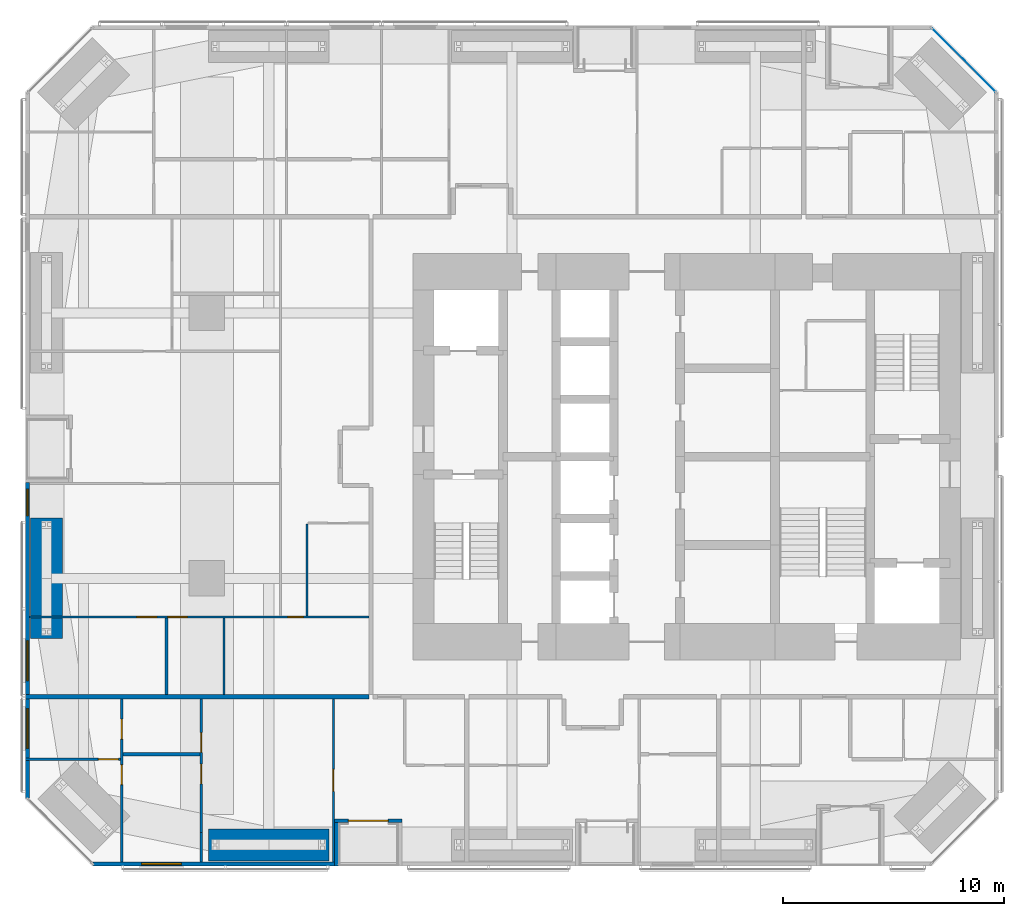
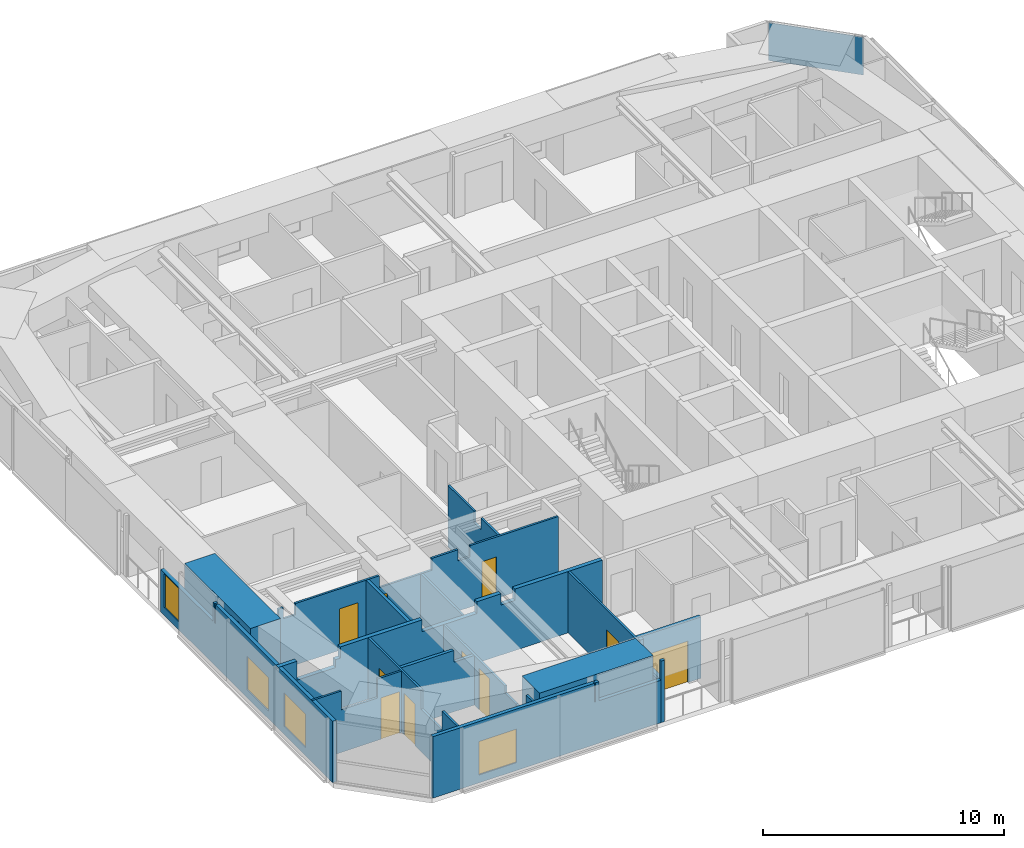
# One storey, part 16 of 23: 17 walls, 10 doors, 4 windows, 1 plate, 14 openings, 1 element without a shape of its own.
"""IFC4 building model written with IfcOpenShell, lengths in metres."""

import ifcopenshell
import ifcopenshell.guid

model = None  # the IFC model being written
_history = None  # IfcOwnerHistory: only IFC2X3 demands one
_inside = {}  # id of a spatial element -> (the spatial element, [elements in it])
_under = {}  # id of a project, library or spatial element -> (it, [spatial elements below it])
_declared = {}  # id of a project -> (the project, [libraries it declares])
_typed = {}  # id of a type object -> (the type object, [elements of that type])
_made_of = {}  # id of a material, layer set ... -> (it, [elements and type objects made of it])


def new_model(schema):
    """Start an empty IFC model of exactly this schema.

    Asked for "IFC4X3", IfcOpenShell would pick the latest addendum, in which some entities
    have other attributes; the version numbers below select the first issue.
    IFC2X3 requires an IfcOwnerHistory on every rooted entity: one is made here for all.
    """
    global model, _history
    if schema == "IFC4X3":
        model = ifcopenshell.file(schema_version=(4, 3, 0, 0))
    else:
        model = ifcopenshell.file(schema=schema)
    _inside.clear()
    _under.clear()
    _declared.clear()
    _typed.clear()
    _made_of.clear()
    _history = None
    if model.schema == "IFC2X3":
        org = make("IfcOrganization", Name="unknown")
        user = make(
            "IfcPersonAndOrganization",
            ThePerson=make("IfcPerson", FamilyName="unknown"),
            TheOrganization=org,
        )
        app = make(
            "IfcApplication",
            ApplicationDeveloper=org,
            Version="unknown",
            ApplicationFullName="unknown",
            ApplicationIdentifier="unknown",
        )
        _history = make(
            "IfcOwnerHistory",
            OwningUser=user,
            OwningApplication=app,
            ChangeAction="ADDED",
            CreationDate=0,
        )
    return model


def make(cls, **values):
    """One entity of the class cls with the attributes given. An attribute that is None is left unset."""
    return model.create_entity(
        cls, **{name: value for name, value in values.items() if value is not None}
    )


def rooted(cls, **values):
    """An entity with a GlobalId (a new one), such as an element, a storey or a relation."""
    return make(cls, GlobalId=ifcopenshell.guid.new(), OwnerHistory=_history, **values)


def si_unit(unit_type, name, prefix=None):
    """IfcSIUnit, for example si_unit("LENGTHUNIT", "METRE", prefix="MILLI")."""
    return make("IfcSIUnit", UnitType=unit_type, Prefix=prefix, Name=name)


def assignment(units):
    """IfcUnitAssignment: the units of a project."""
    return None if units is None else make("IfcUnitAssignment", Units=units)


def point(xyz):
    """IfcCartesianPoint."""
    return None if xyz is None else make("IfcCartesianPoint", Coordinates=xyz)


def direction(xyz):
    """IfcDirection."""
    return None if xyz is None else make("IfcDirection", DirectionRatios=xyz)


def frame(location, z_axis=None, x_axis=None):
    """IfcAxis2Placement3D, a coordinate frame: its origin and axes. An axis left out is left unset."""
    return make(
        "IfcAxis2Placement3D",
        Location=point(location),
        Axis=direction(z_axis),
        RefDirection=direction(x_axis),
    )


def frame_2d(location, x_axis=None):
    """IfcAxis2Placement2D, a coordinate frame in the plane: its origin and x axis."""
    return make(
        "IfcAxis2Placement2D", Location=point(location), RefDirection=direction(x_axis)
    )


def origin():
    """The frame at (0, 0, 0) with its axes left unset."""
    return frame((0.0, 0.0, 0.0))


def origin_2d():
    """The frame at (0, 0) in the plane with its x axis left unset."""
    return frame_2d((0.0, 0.0))


def place(relative_to, where):
    """IfcLocalPlacement: puts the frame where relative to a parent placement (None: the world)."""
    return make(
        "IfcLocalPlacement", PlacementRelTo=relative_to, RelativePlacement=where
    )


def context(
    kind, dimensions, precision=None, world=None, true_north=None, identifier=None
):
    """IfcGeometricRepresentationContext, for example the 3D "Model" context."""
    return make(
        "IfcGeometricRepresentationContext",
        ContextIdentifier=identifier,
        ContextType=kind,
        CoordinateSpaceDimension=dimensions,
        Precision=precision,
        WorldCoordinateSystem=world,
        TrueNorth=true_north,
    )


def subcontext(parent, identifier, kind, view, scale=None):
    """IfcGeometricRepresentationSubContext, for example "Body" below "Model"."""
    return make(
        "IfcGeometricRepresentationSubContext",
        ContextIdentifier=identifier,
        ContextType=kind,
        ParentContext=parent,
        TargetScale=scale,
        TargetView=view,
    )


def project(units=None, contexts=None):
    """IfcProject with its units and contexts."""
    return rooted(
        "IfcProject",
        Name="project",
        RepresentationContexts=contexts,
        UnitsInContext=assignment(units),
    )


def spatial(cls, under=None, at=None, **own):
    """A site, building, storey or space (cls), placed at a placement, below another one or the project."""
    s = rooted(cls, ObjectPlacement=at, **own)
    if under is not None:
        _under.setdefault(under.id(), (under, []))[1].append(s)
    return s


def polyline(points):
    """IfcPolyline through the points."""
    return make("IfcPolyline", Points=[point(p) for p in points])


def profile(cls, at=None, kind="AREA", **sizes):
    """A parametric profile (cls). Its sizes go by their IFC names, for example OverallWidth=200.0."""
    return make(cls, ProfileType=kind, Position=at, **sizes)


def rectangle(**sizes):
    """IfcRectangleProfileDef."""
    return profile("IfcRectangleProfileDef", **sizes)


def outline(outer, holes=None, kind="AREA"):
    """IfcArbitraryClosedProfileDef: a profile drawn as a closed curve; with holes, ...WithVoids."""
    if holes is None:
        return make("IfcArbitraryClosedProfileDef", ProfileType=kind, OuterCurve=outer)
    return make(
        "IfcArbitraryProfileDefWithVoids",
        ProfileType=kind,
        OuterCurve=outer,
        InnerCurves=holes,
    )


def extrude(swept, where, along, depth):
    """IfcExtrudedAreaSolid: the profile swept, set in the frame where, extruded along a direction by depth."""
    return make(
        "IfcExtrudedAreaSolid",
        SweptArea=swept,
        Position=where,
        ExtrudedDirection=direction(along),
        Depth=depth,
    )


def shape(context_of_items, identifier, shape_type, items):
    """IfcShapeRepresentation: the items that make up one representation, for example the "Body"."""
    return make(
        "IfcShapeRepresentation",
        ContextOfItems=context_of_items,
        RepresentationIdentifier=identifier,
        RepresentationType=shape_type,
        Items=items,
    )


def material(Name=None, Category=None):
    """IfcMaterial."""
    return make("IfcMaterial", Name=Name, Category=Category)


def layer(
    of_material, thickness, ventilated=None, Name=None, Category=None, Priority=None
):
    """IfcMaterialLayer: one layer of a wall or slab, of a material (None: an air gap)."""
    return make(
        "IfcMaterialLayer",
        Material=of_material,
        LayerThickness=thickness,
        IsVentilated=ventilated,
        Name=Name,
        Category=Category,
        Priority=Priority,
    )


def layer_set(layers, Name=None):
    """IfcMaterialLayerSet."""
    return make("IfcMaterialLayerSet", MaterialLayers=layers, LayerSetName=Name)


def constituent(of_material, Name=None, Category=None, fraction=None):
    """IfcMaterialConstituent: one of the materials an element consists of."""
    return make(
        "IfcMaterialConstituent",
        Name=Name,
        Material=of_material,
        Fraction=fraction,
        Category=Category,
    )


def constituent_set(constituents=None, Name=None):
    """IfcMaterialConstituentSet."""
    return make(
        "IfcMaterialConstituentSet", Name=Name, MaterialConstituents=constituents
    )


def made_of(thing, what):
    """Note that an element or type object is made of a material, layer set ...; save() writes the relation."""
    if what is not None:
        _made_of.setdefault(what.id(), (what, []))[1].append(thing)
    return thing


def type_object(cls, material=None, **own):
    """A type object (cls), such as IfcWallType, which elements share."""
    return made_of(rooted(cls, **own), material)


def element(
    cls,
    number,
    at=None,
    inside=None,
    cuts=None,
    type_object=None,
    material=None,
    context=None,
    identifier="Body",
    shape_type=None,
    held_by="IfcProductDefinitionShape",
    body=None,
    shapes=None,
    **own,
):
    """One element of the class cls, such as IfcWall. Its Tag is "e" and its number.

    at: its placement. inside: the storey or other place that contains it. cuts: it is an
    opening in that element (IfcRelVoidsElement). A single representation is given by context,
    identifier, shape_type and body (its items); several are given by shapes. held_by: the class
    of the entity that holds the representations. save() writes the other relations.
    """
    e = rooted(cls, Tag="e%d" % number, ObjectPlacement=at, **own)
    if body is not None:
        shapes = [shape(context, identifier, shape_type, body)]
    if shapes is not None:
        e.Representation = make(held_by, Representations=shapes)
    if inside is not None:
        _inside.setdefault(inside.id(), (inside, []))[1].append(e)
    if cuts is not None:
        rooted(
            "IfcRelVoidsElement", RelatingBuildingElement=cuts, RelatedOpeningElement=e
        )
    if type_object is not None:
        _typed.setdefault(type_object.id(), (type_object, []))[1].append(e)
    return made_of(e, material)


def fill(opening, filler):
    """IfcRelFillsElement: the door or window that sits in an opening."""
    return rooted(
        "IfcRelFillsElement",
        RelatingOpeningElement=opening,
        RelatedBuildingElement=filler,
    )


def aggregate(whole, parts):
    """IfcRelAggregates: a whole, such as a stair, and the parts it consists of."""
    return rooted("IfcRelAggregates", RelatingObject=whole, RelatedObjects=parts)


def save(model, path):
    """Write the relations noted so far, then the file.

    IfcRelAggregates (storeys below a building ...), IfcRelContainedInSpatialStructure (elements
    in a storey), IfcRelDefinesByType, IfcRelAssociatesMaterial and IfcRelDeclares: one each for
    every whole, place, type object, material and project.
    """
    for whole, parts in _under.values():
        aggregate(whole, parts)
    for where, things in _inside.values():
        rooted(
            "IfcRelContainedInSpatialStructure",
            RelatedElements=things,
            RelatingStructure=where,
        )
    for kind, things in _typed.values():
        rooted("IfcRelDefinesByType", RelatedObjects=things, RelatingType=kind)
    for what, things in _made_of.values():
        rooted("IfcRelAssociatesMaterial", RelatedObjects=things, RelatingMaterial=what)
    for by, libraries in _declared.values():
        rooted("IfcRelDeclares", RelatingContext=by, RelatedDefinitions=libraries)
    model.write(path)


model = new_model("IFC4")

# Units and contexts
model_context = context("Model", 3, precision=1e-05, world=origin(), true_north=direction((0.0, 1.0)))
body_context = subcontext(model_context, "Body", "Model", "MODEL_VIEW")
ifc_project = project(units=[si_unit("LENGTHUNIT", "METRE"), si_unit("AREAUNIT", "SQUARE_METRE"), si_unit("VOLUMEUNIT", "CUBIC_METRE"), si_unit("PLANEANGLEUNIT", "RADIAN"), si_unit("MASSUNIT", "GRAM", prefix="KILO")], contexts=[model_context])

# Site, building, storey
site_placement = place(None, origin())
site = spatial("IfcSite", under=ifc_project, at=site_placement, CompositionType="ELEMENT")
building_placement = place(site_placement, origin())
building = spatial("IfcBuilding", under=site, at=building_placement, Name="Jalousie Tower", CompositionType="ELEMENT")
storey_placement = place(building_placement, frame((0.0, 0.0, 27.699951171875)))
storey = spatial("IfcBuildingStorey", under=building, at=storey_placement, Name="L06", CompositionType="ELEMENT", Elevation=27.699951171875)

# Curtain wall, plate
ifc_material_1 = material(Name="Aluminium curtain wall", Category="aluminium")
curtain_wall_type = type_object("IfcCurtainWallType", Name="CORNER WINDOW WALL", PredefinedType="USERDEFINED", material=ifc_material_1)
curtain_wall_placement = place(storey_placement, origin())
curtain_wall = element("IfcCurtainWall", 1, at=curtain_wall_placement, inside=storey, type_object=curtain_wall_type, Name="Corner Window Wall L06 4", ObjectType="CORNER WINDOW WALL", PredefinedType="USERDEFINED")
ifc_material_2 = material(Name="Laminated impact-rated spandrel glass", Category="glass")
ifc_layer_1 = layer(ifc_material_2, 0.028076171875)
ifc_layer_set_1 = layer_set([ifc_layer_1], Name="Laminated impact-rated spandrel glass")
plate_type = type_object("IfcPlateType", Name="CORNER WINDOW WALL PANEL", PredefinedType="CURTAIN_PANEL", material=ifc_layer_set_1)
plate_placement = place(storey_placement, frame((44.4306640625, 36.4306640625, 1.130126953125), z_axis=(0.0, 0.0, 1.0), x_axis=(-0.707106781187, 0.707106781187, 0.0)))
plate = element("IfcPlate", 2, at=plate_placement, type_object=plate_type, Name="CW-C panel 1.2", PredefinedType="CURTAIN_PANEL", context=body_context, shape_type="SweptSolid", body=[
    extrude(rectangle(XDim=4.071533203125, YDim=0.028076171875, at=origin_2d()), origin(), (0.0, 0.0, 1.0), 1.919921875),
])
aggregate(curtain_wall, [plate])

# Walls
ifc_material_3 = material(Name="Concrete block ASTM C90", Category="concrete")
ifc_constituent_1 = constituent(ifc_material_3, Name="Body")
ifc_material_4 = material(Name="Render")
ifc_constituent_2 = constituent(ifc_material_4, Name="Finish")
ifc_constituent_set_1 = constituent_set(constituents=[ifc_constituent_1, ifc_constituent_2])
wall_type_1 = type_object("IfcWallType", Name="BATHROOM WALL 150", PredefinedType="PLUMBINGWALL", material=ifc_constituent_set_1)
wall_1_placement = place(storey_placement, frame((6.39990234375, 5.050048828125, 0.0), z_axis=(0.0, 0.0, 1.0), x_axis=(1.0, 0.0, 0.0)))
element("IfcWall", 3, at=wall_1_placement, inside=storey, type_object=wall_type_1, Name="Bathroom Wall 150 L06", PredefinedType="PLUMBINGWALL", context=body_context, shape_type="SweptSolid", body=[
    extrude(outline(polyline([(0.0, 0.0), (3.5, 0.0), (3.5, 3.110107421875), (3.5, 2.510009765625), (2.514892578125, 2.510009765625), (2.514892578125, 3.110107421875), (0.0, 3.110107421875), (0.0, 0.0)])), frame((0.0, 0.074951171875, 0.0), z_axis=(0.0, -1.0, 0.0), x_axis=(1.0, 0.0, 0.0)), (0.0, 0.0, 1.0), 0.14990234375),
])
wall_2_placement = place(storey_placement, frame((8.375, 7.75, 0.0), z_axis=(0.0, 0.0, 1.0), x_axis=(0.0, 1.0, 0.0)))
element("IfcWall", 4, at=wall_2_placement, inside=storey, type_object=wall_type_1, Name="Bathroom Wall 150 L06", PredefinedType="PLUMBINGWALL", context=body_context, shape_type="SweptSolid", body=[
    extrude(rectangle(XDim=3.449951171875, YDim=0.14990234375, at=frame_2d((1.72509765625, 0.0))), origin(), (0.0, 0.0, 1.0), 3.110107421875),
])

# Wall, opening, window
ifc_material_5 = material(Name="Concrete f'c 40 MPa", Category="concrete")
ifc_constituent_3 = constituent(ifc_material_5, Name="Body")
ifc_material_6 = material(Name="Render, pastel coral")
ifc_constituent_4 = constituent(ifc_material_6, Name="Finish")
ifc_constituent_set_2 = constituent_set(constituents=[ifc_constituent_3, ifc_constituent_4])
wall_type_2 = type_object("IfcWallType", Name="EXTERNAL WALL 175 CORAL RENDER", PredefinedType="SOLIDWALL", material=ifc_constituent_set_2)
wall_3_placement = place(storey_placement, frame((5.05126953125, 0.08740234375, 0.0), z_axis=(0.0, 0.0, 1.0), x_axis=(1.0, 0.0, 0.0)))
wall_3 = element("IfcWall", 5, at=wall_3_placement, inside=storey, type_object=wall_type_2, Name="External Wall 175 Coral Render L06", PredefinedType="SOLIDWALL", context=body_context, shape_type="SweptSolid", body=[
    extrude(outline(polyline([(0.0, 0.0), (10.923828125, 0.0), (10.923583984375, 2.150146484375), (7.94873046875, 2.150146484375), (7.94873046875, 3.110107421875), (7.79296875, 3.110107421875), (7.79296875, 2.150146484375), (7.74462890625, 2.150146484375), (7.74462890625, 3.110107421875), (0.0, 3.110107421875), (0.0, 0.0)])), frame((0.0, 0.08740234375, 0.0), z_axis=(0.0, -1.0, 0.0), x_axis=(1.0, 0.0, 0.0)), (0.0, 0.0, 1.0), 0.175048828125),
])
opening_1_placement = place(wall_3_placement, frame((2.19873046875, 0.0, 0.39990234375)))
opening_1 = element("IfcOpeningElement", 6, at=opening_1_placement, cuts=wall_3, Name="Opening W-BED170", PredefinedType="OPENING", context=body_context, shape_type="SweptSolid", body=[
    extrude(rectangle(XDim=1.800048828125, YDim=1.699951171875, at=frame_2d((0.89990234375, 0.85009765625))), frame((0.0, 0.097412109375, 0.0), z_axis=(0.0, -1.0, 0.0), x_axis=(1.0, 0.0, 0.0)), (0.0, 0.0, 1.0), 0.195068359375),
])
ifc_material_7 = material(Name="Aluminium frame, impact-rated glazing", Category="aluminium")
window_type_1 = type_object("IfcWindowType", Name="WINDOW BED 1800x1700", PartitioningType="SINGLE_PANEL", PredefinedType="WINDOW", material=ifc_material_7)
window_1_placement = place(opening_1_placement, origin())
window_1 = element("IfcWindow", 7, at=window_1_placement, inside=storey, type_object=window_type_1, Name="Apartment 0601 bedroom 2 window", OverallHeight=1.699951171875, OverallWidth=1.800048828125, PartitioningType="SINGLE_PANEL", PredefinedType="WINDOW", context=body_context, shape_type="SweptSolid", body=[
    extrude(rectangle(XDim=1.800048828125, YDim=1.699951171875, at=frame_2d((0.89990234375, 0.85009765625))), frame((0.0, 0.030029296875, 0.0), z_axis=(0.0, -1.0, 0.0), x_axis=(1.0, 0.0, 0.0)), (0.0, 0.0, 1.0), 0.06005859375),
])
fill(opening_1, window_1)

# Wall, opening, door
wall_4_placement = place(storey_placement, frame((15.97509765625, 2.03759765625, 0.0), z_axis=(0.0, 0.0, 1.0), x_axis=(1.0, 0.0, 0.0)))
wall_4 = element("IfcWall", 8, at=wall_4_placement, inside=storey, type_object=wall_type_2, Name="External Wall 175 Coral Render L06", PredefinedType="SOLIDWALL", context=body_context, shape_type="SweptSolid", body=[
    extrude(rectangle(XDim=3.0498046875, YDim=0.175048828125, at=frame_2d((1.52490234375, 0.0))), origin(), (0.0, 0.0, 1.0), 3.110107421875),
])
opening_2_placement = place(wall_4_placement, frame((0.625, 0.0, 0.0)))
opening_2 = element("IfcOpeningElement", 9, at=opening_2_placement, cuts=wall_4, Name="Opening D-BAL21", PredefinedType="OPENING", context=body_context, shape_type="SweptSolid", body=[
    extrude(rectangle(XDim=1.800048828125, YDim=2.10009765625, at=frame_2d((0.89990234375, 1.050048828125))), frame((0.0, 0.097412109375, 0.0), z_axis=(0.0, -1.0, 0.0), x_axis=(1.0, 0.0, 0.0)), (0.0, 0.0, 1.0), 0.195068359375),
])
ifc_material_8 = material(Name="Aluminium frame, impact-rated glazing", Category="aluminium")
door_type_1 = type_object("IfcDoorType", Name="BALCONY DOOR 1800x2100", OperationType="SLIDING_TO_LEFT", PredefinedType="DOOR", material=ifc_material_8)
door_1_placement = place(opening_2_placement, origin())
door_1 = element("IfcDoor", 10, at=door_1_placement, inside=storey, type_object=door_type_1, Name="Apartment 0601 living room loggia door", OperationType="SLIDING_TO_LEFT", OverallHeight=2.10009765625, OverallWidth=1.800048828125, PredefinedType="DOOR", context=body_context, shape_type="SweptSolid", body=[
    extrude(rectangle(XDim=1.800048828125, YDim=2.10009765625, at=frame_2d((0.89990234375, 1.050048828125))), frame((0.0, 0.02490234375, 0.0), z_axis=(0.0, -1.0, 0.0), x_axis=(1.0, 0.0, 0.0)), (0.0, 0.0, 1.0), 0.050048828125),
])
fill(opening_2, door_1)

# Wall
wall_5_placement = place(storey_placement, frame((16.0625, 0.0, 0.0), z_axis=(0.0, 0.0, 1.0), x_axis=(0.0, 1.0, 0.0)))
element("IfcWall", 11, at=wall_5_placement, inside=storey, type_object=wall_type_2, Name="External Wall 175 Coral Render L06", PredefinedType="SOLIDWALL", context=body_context, shape_type="SweptSolid", body=[
    extrude(outline(polyline([(0.0, 0.0), (1.949951171875, 0.0), (1.949951171875, 3.110107421875), (1.75, 3.110107421875), (1.75, 2.150146484375), (0.14990234375, 2.150146484375), (0.14990234375, 3.110107421875), (0.0, 3.110107421875), (0.0, 0.0)])), frame((0.0, 0.08740234375, 0.0), z_axis=(0.0, -1.0, 0.0), x_axis=(1.0, 0.0, 0.0)), (0.0, 0.0, 1.0), 0.175048828125),
])

# Wall, openings, windows
wall_6_placement = place(storey_placement, frame((2.08740234375, 17.333251953125, 0.0), z_axis=(0.0, 0.0, 1.0), x_axis=(0.0, -1.0, 0.0)))
wall_6 = element("IfcWall", 12, at=wall_6_placement, inside=storey, type_object=wall_type_2, Name="External Wall 175 Coral Render L06", PredefinedType="SOLIDWALL", context=body_context, shape_type="SweptSolid", body=[
    extrude(outline(polyline([(0.0, 0.0), (14.281982421875, 0.0), (14.281982421875, 3.110107421875), (4.552001953125, 3.110107421875), (4.552001953125, 2.150146484375), (4.458984375, 2.150146484375), (4.458984375, 3.110107421875), (4.333251953125, 3.110107421875), (4.333251953125, 2.150146484375), (0.0, 2.150146484375), (0.0, 0.0)])), frame((0.0, 0.08740234375, 0.0), z_axis=(0.0, -1.0, 0.0), x_axis=(1.0, 0.0, 0.0)), (0.0, 0.0, 1.0), 0.175048828125),
])
opening_3_placement = place(wall_6_placement, frame((0.300048828125, 0.0, 0.39990234375)))
opening_3 = element("IfcOpeningElement", 13, at=opening_3_placement, cuts=wall_6, Name="Opening W-COR170", PredefinedType="OPENING", context=body_context, shape_type="SweptSolid", body=[
    extrude(rectangle(XDim=1.199951171875, YDim=1.699951171875, at=frame_2d((0.60009765625, 0.85009765625))), frame((0.0, 0.097412109375, 0.0), z_axis=(0.0, -1.0, 0.0), x_axis=(1.0, 0.0, 0.0)), (0.0, 0.0, 1.0), 0.195068359375),
])
opening_4_placement = place(wall_6_placement, frame((7.158203125, 0.0, 0.39990234375)))
opening_4 = element("IfcOpeningElement", 14, at=opening_4_placement, cuts=wall_6, Name="Opening W-BED170", PredefinedType="OPENING", context=body_context, shape_type="SweptSolid", body=[
    extrude(rectangle(XDim=1.800048828125, YDim=1.699951171875, at=frame_2d((0.89990234375, 0.85009765625))), frame((0.0, 0.097412109375, 0.0), z_axis=(0.0, -1.0, 0.0), x_axis=(1.0, 0.0, 0.0)), (0.0, 0.0, 1.0), 0.195068359375),
])
opening_5_placement = place(wall_6_placement, frame((10.224609375, 0.0, 0.39990234375)))
opening_5 = element("IfcOpeningElement", 15, at=opening_5_placement, cuts=wall_6, Name="Opening W-BED170", PredefinedType="OPENING", context=body_context, shape_type="SweptSolid", body=[
    extrude(rectangle(XDim=1.800048828125, YDim=1.699951171875, at=frame_2d((0.89990234375, 0.85009765625))), frame((0.0, 0.097412109375, 0.0), z_axis=(0.0, -1.0, 0.0), x_axis=(1.0, 0.0, 0.0)), (0.0, 0.0, 1.0), 0.195068359375),
])
window_2_placement = place(opening_4_placement, origin())
window_2 = element("IfcWindow", 16, at=window_2_placement, inside=storey, type_object=window_type_1, Name="Apartment 0606 bedroom 1 window", OverallHeight=1.699951171875, OverallWidth=1.800048828125, PartitioningType="SINGLE_PANEL", PredefinedType="WINDOW", context=body_context, shape_type="SweptSolid", body=[
    extrude(rectangle(XDim=1.800048828125, YDim=1.699951171875, at=frame_2d((0.89990234375, 0.85009765625))), frame((0.0, 0.030029296875, 0.0), z_axis=(0.0, -1.0, 0.0), x_axis=(1.0, 0.0, 0.0)), (0.0, 0.0, 1.0), 0.06005859375),
])
fill(opening_4, window_2)
window_3_placement = place(opening_5_placement, origin())
window_3 = element("IfcWindow", 17, at=window_3_placement, inside=storey, type_object=window_type_1, Name="Apartment 0601 bedroom 1 window", OverallHeight=1.699951171875, OverallWidth=1.800048828125, PartitioningType="SINGLE_PANEL", PredefinedType="WINDOW", context=body_context, shape_type="SweptSolid", body=[
    extrude(rectangle(XDim=1.800048828125, YDim=1.699951171875, at=frame_2d((0.89990234375, 0.85009765625))), frame((0.0, 0.030029296875, 0.0), z_axis=(0.0, -1.0, 0.0), x_axis=(1.0, 0.0, 0.0)), (0.0, 0.0, 1.0), 0.06005859375),
])
fill(opening_5, window_3)
ifc_material_9 = material(Name="Aluminium frame, impact-rated glazing", Category="aluminium")
window_type_2 = type_object("IfcWindowType", Name="WINDOW COR 1200x1700", PartitioningType="SINGLE_PANEL", PredefinedType="WINDOW", material=ifc_material_9)
window_4_placement = place(opening_3_placement, origin())
window_4 = element("IfcWindow", 18, at=window_4_placement, inside=storey, type_object=window_type_2, Name="Apartment 0606 dining room window", OverallHeight=1.699951171875, OverallWidth=1.199951171875, PartitioningType="SINGLE_PANEL", PredefinedType="WINDOW", context=body_context, shape_type="SweptSolid", body=[
    extrude(rectangle(XDim=1.199951171875, YDim=1.699951171875, at=frame_2d((0.60009765625, 0.85009765625))), frame((0.0, 0.030029296875, 0.0), z_axis=(0.0, -1.0, 0.0), x_axis=(1.0, 0.0, 0.0)), (0.0, 0.0, 1.0), 0.06005859375),
])
fill(opening_3, window_4)

# Wall, openings, doors
ifc_material_10 = material(Name="Gypsum board", Category="gypsum")
ifc_constituent_5 = constituent(ifc_material_10, Name="Body")
ifc_material_11 = material(Name="Light-gauge steel studs ASTM A653 SS Grade 33", Category="steel")
ifc_constituent_6 = constituent(ifc_material_11, Name="Framing")
ifc_constituent_set_3 = constituent_set(constituents=[ifc_constituent_5, ifc_constituent_6])
wall_type_3 = type_object("IfcWallType", Name="PARTITION 100", PredefinedType="PARTITIONING", material=ifc_constituent_set_3)
wall_7_placement = place(storey_placement, frame((6.35009765625, 0.175048828125, 0.0), z_axis=(0.0, 0.0, 1.0), x_axis=(0.0, 1.0, 0.0)))
wall_7 = element("IfcWall", 19, at=wall_7_placement, inside=storey, type_object=wall_type_3, Name="Partition 100 L06", PredefinedType="PARTITIONING", context=body_context, shape_type="SweptSolid", body=[
    extrude(outline(polyline([(0.0, 0.0), (7.375, 0.0), (7.375, 3.110107421875), (2.98828125, 3.110107421875), (2.98828125, 2.150146484375), (1.23388671875, 2.150146484375), (1.23388671875, 3.110107421875), (0.0, 3.110107421875), (0.0, 0.0)])), frame((0.0, 0.050048828125, 0.0), z_axis=(0.0, -1.0, 0.0), x_axis=(1.0, 0.0, 0.0)), (0.0, 0.0, 1.0), 0.10009765625),
])
opening_6_placement = place(wall_7_placement, frame((3.492431640625, 0.0, 0.0)))
opening_6 = element("IfcOpeningElement", 20, at=opening_6_placement, cuts=wall_7, Name="Opening D2", PredefinedType="OPENING", context=body_context, shape_type="SweptSolid", body=[
    extrude(rectangle(XDim=0.89990234375, YDim=2.10009765625, at=frame_2d((0.449951171875, 1.050048828125))), frame((0.0, 0.06005859375, 0.0), z_axis=(0.0, -1.0, 0.0), x_axis=(1.0, 0.0, 0.0)), (0.0, 0.0, 1.0), 0.1201171875),
])
opening_7_placement = place(wall_7_placement, frame((5.55859375, 0.0, 0.0)))
opening_7 = element("IfcOpeningElement", 21, at=opening_7_placement, cuts=wall_7, Name="Opening D3", PredefinedType="OPENING", context=body_context, shape_type="SweptSolid", body=[
    extrude(rectangle(XDim=0.89990234375, YDim=2.10009765625, at=frame_2d((0.449951171875, 1.050048828125))), frame((0.0, 0.06005859375, 0.0), z_axis=(0.0, -1.0, 0.0), x_axis=(1.0, 0.0, 0.0)), (0.0, 0.0, 1.0), 0.1201171875),
])
ifc_material_12 = material(Name="Timber door", Category="wood")
door_type_2 = type_object("IfcDoorType", Name="BATHROOM DOOR 900", OperationType="SINGLE_SWING_LEFT", PredefinedType="DOOR", material=ifc_material_12)
door_2_placement = place(opening_7_placement, frame((0.89990234375, 0.0, 0.0), z_axis=(0.0, 0.0, 1.0), x_axis=(-1.0, 0.0, 0.0)))
door_2 = element("IfcDoor", 22, at=door_2_placement, inside=storey, type_object=door_type_2, Name="Apartment 0601 bedroom 1 bathroom door", OperationType="SINGLE_SWING_RIGHT", OverallHeight=2.10009765625, OverallWidth=0.89990234375, PredefinedType="DOOR", context=body_context, shape_type="SweptSolid", body=[
    extrude(rectangle(XDim=0.89990234375, YDim=2.10009765625, at=frame_2d((0.449951171875, 1.050048828125))), frame((0.0, 0.02490234375, 0.0), z_axis=(0.0, -1.0, 0.0), x_axis=(1.0, 0.0, 0.0)), (0.0, 0.0, 1.0), 0.050048828125),
])
fill(opening_7, door_2)
ifc_material_13 = material(Name="Timber door", Category="wood")
door_type_3 = type_object("IfcDoorType", Name="BEDROOM DOOR 900", OperationType="SINGLE_SWING_LEFT", PredefinedType="DOOR", material=ifc_material_13)
door_3_placement = place(opening_6_placement, frame((0.89990234375, 0.0, 0.0), z_axis=(0.0, 0.0, 1.0), x_axis=(-1.0, 0.0, 0.0)))
door_3 = element("IfcDoor", 23, at=door_3_placement, inside=storey, type_object=door_type_3, Name="Apartment 0601 bedroom 1 door", OperationType="SINGLE_SWING_LEFT", OverallHeight=2.10009765625, OverallWidth=0.89990234375, PredefinedType="DOOR", context=body_context, shape_type="SweptSolid", body=[
    extrude(rectangle(XDim=0.89990234375, YDim=2.10009765625, at=frame_2d((0.449951171875, 1.050048828125))), frame((0.0, 0.02490234375, 0.0), z_axis=(0.0, -1.0, 0.0), x_axis=(1.0, 0.0, 0.0)), (0.0, 0.0, 1.0), 0.050048828125),
])
fill(opening_6, door_3)

# Wall
wall_8_placement = place(storey_placement, frame((9.949951171875, 0.175048828125, 0.0), z_axis=(0.0, 0.0, 1.0), x_axis=(0.0, 1.0, 0.0)))
element("IfcWall", 24, at=wall_8_placement, inside=storey, type_object=wall_type_3, Name="Partition 100 L06-A", PredefinedType="PARTITIONING", context=body_context, shape_type="SweptSolid", body=[
    extrude(outline(polyline([(0.0, 0.0), (1.337646484375, 0.0), (1.337646484375, 2.150146484375), (0.510498046875, 2.150146484375), (0.510498046875, 3.110107421875), (0.0, 3.110107421875), (0.0, 0.0)])), frame((0.0, 0.050048828125, 0.0), z_axis=(0.0, -1.0, 0.0), x_axis=(1.0, 0.0, 0.0)), (0.0, 0.0, 1.0), 0.10009765625),
])

# Wall, openings, doors
wall_9_placement = place(storey_placement, frame((9.949951171875, 1.5126953125, 0.0), z_axis=(0.0, 0.0, 1.0), x_axis=(0.0, 1.0, 0.0)))
wall_9 = element("IfcWall", 25, at=wall_9_placement, inside=storey, type_object=wall_type_3, Name="Partition 100 L06-B", PredefinedType="PARTITIONING", context=body_context, shape_type="SweptSolid", body=[
    extrude(outline(polyline([(0.0, 0.0), (6.037353515625, 0.0), (6.037353515625, 2.510009765625), (0.927490234375, 2.510009765625), (0.927490234375, 2.150146484375), (0.0, 2.150146484375), (0.0, 0.0)])), frame((0.0, 0.050048828125, 0.0), z_axis=(0.0, -1.0, 0.0), x_axis=(1.0, 0.0, 0.0)), (0.0, 0.0, 1.0), 0.10009765625),
])
opening_8_placement = place(wall_9_placement, frame((2.1875, 0.0, 0.0)))
opening_8 = element("IfcOpeningElement", 26, at=opening_8_placement, cuts=wall_9, Name="Opening D2", PredefinedType="OPENING", context=body_context, shape_type="SweptSolid", body=[
    extrude(rectangle(XDim=0.89990234375, YDim=2.10009765625, at=frame_2d((0.449951171875, 1.050048828125))), frame((0.0, 0.06005859375, 0.0), z_axis=(0.0, -1.0, 0.0), x_axis=(1.0, 0.0, 0.0)), (0.0, 0.0, 1.0), 0.1201171875),
])
opening_9_placement = place(wall_9_placement, frame((3.6123046875, 0.0, 0.0)))
opening_9 = element("IfcOpeningElement", 27, at=opening_9_placement, cuts=wall_9, Name="Opening D7", PredefinedType="OPENING", context=body_context, shape_type="SweptSolid", body=[
    extrude(rectangle(XDim=0.89990234375, YDim=2.10009765625, at=frame_2d((0.449951171875, 1.050048828125))), frame((0.0, 0.06005859375, 0.0), z_axis=(0.0, -1.0, 0.0), x_axis=(1.0, 0.0, 0.0)), (0.0, 0.0, 1.0), 0.1201171875),
])
door_4_placement = place(opening_8_placement, origin())
door_4 = element("IfcDoor", 28, at=door_4_placement, inside=storey, type_object=door_type_3, Name="Apartment 0601 bedroom 2 door", OperationType="SINGLE_SWING_RIGHT", OverallHeight=2.10009765625, OverallWidth=0.89990234375, PredefinedType="DOOR", context=body_context, shape_type="SweptSolid", body=[
    extrude(rectangle(XDim=0.89990234375, YDim=2.10009765625, at=frame_2d((0.449951171875, 1.050048828125))), frame((0.0, 0.02490234375, 0.0), z_axis=(0.0, -1.0, 0.0), x_axis=(1.0, 0.0, 0.0)), (0.0, 0.0, 1.0), 0.050048828125),
])
fill(opening_8, door_4)
ifc_material_14 = material(Name="Timber door", Category="wood")
door_type_4 = type_object("IfcDoorType", Name="INTERNAL DOOR 900", OperationType="SINGLE_SWING_LEFT", PredefinedType="DOOR", material=ifc_material_14)
door_5_placement = place(opening_9_placement, origin())
door_5 = element("IfcDoor", 29, at=door_5_placement, inside=storey, type_object=door_type_4, Name="Apartment 0601 bathroom door", OperationType="SINGLE_SWING_LEFT", OverallHeight=2.10009765625, OverallWidth=0.89990234375, PredefinedType="DOOR", context=body_context, shape_type="SweptSolid", body=[
    extrude(rectangle(XDim=0.89990234375, YDim=2.10009765625, at=frame_2d((0.449951171875, 1.050048828125))), frame((0.0, 0.02490234375, 0.0), z_axis=(0.0, -1.0, 0.0), x_axis=(1.0, 0.0, 0.0)), (0.0, 0.0, 1.0), 0.050048828125),
])
fill(opening_9, door_5)

# Wall, opening, door
wall_10_placement = place(storey_placement, frame((2.0, 4.8173828125, 0.0), z_axis=(0.0, 0.0, 1.0), x_axis=(1.0, 0.0, 0.0)))
wall_10 = element("IfcWall", 30, at=wall_10_placement, inside=storey, type_object=wall_type_3, Name="Partition 100 L06", PredefinedType="PARTITIONING", context=body_context, shape_type="SweptSolid", body=[
    extrude(outline(polyline([(0.0, 0.0), (4.300048828125, 0.0), (4.300048828125, 3.110107421875), (3.148193359375, 3.110107421875), (3.148193359375, 2.150146484375), (1.40576171875, 2.150146484375), (1.40576171875, 3.110107421875), (0.0, 3.110107421875), (0.0, 0.0)])), frame((0.0, 0.050048828125, 0.0), z_axis=(0.0, -1.0, 0.0), x_axis=(1.0, 0.0, 0.0)), (0.0, 0.0, 1.0), 0.10009765625),
])
opening_10_placement = place(wall_10_placement, frame((3.300048828125, 0.0, 0.0)))
opening_10 = element("IfcOpeningElement", 31, at=opening_10_placement, cuts=wall_10, Name="Opening D7", PredefinedType="OPENING", context=body_context, shape_type="SweptSolid", body=[
    extrude(rectangle(XDim=0.89990234375, YDim=2.10009765625, at=frame_2d((0.449951171875, 1.050048828125))), frame((0.0, 0.06005859375, 0.0), z_axis=(0.0, -1.0, 0.0), x_axis=(1.0, 0.0, 0.0)), (0.0, 0.0, 1.0), 0.1201171875),
])
door_6_placement = place(opening_10_placement, origin())
door_6 = element("IfcDoor", 32, at=door_6_placement, inside=storey, type_object=door_type_4, Name="Apartment 0601 bedroom 1 dressing hall door", OperationType="SINGLE_SWING_RIGHT", OverallHeight=2.10009765625, OverallWidth=0.89990234375, PredefinedType="DOOR", context=body_context, shape_type="SweptSolid", body=[
    extrude(rectangle(XDim=0.89990234375, YDim=2.10009765625, at=frame_2d((0.449951171875, 1.050048828125))), frame((0.0, 0.02490234375, 0.0), z_axis=(0.0, -1.0, 0.0), x_axis=(1.0, 0.0, 0.0)), (0.0, 0.0, 1.0), 0.050048828125),
])
fill(opening_10, door_6)

wall_11_placement = place(storey_placement, frame((15.925048828125, 0.175048828125, 0.0), z_axis=(0.0, 0.0, 1.0), x_axis=(0.0, 1.0, 0.0)))
wall_11 = element("IfcWall", 33, at=wall_11_placement, inside=storey, type_object=wall_type_3, Name="Partition 100 L06", PredefinedType="PARTITIONING", context=body_context, shape_type="SweptSolid", body=[
    extrude(outline(polyline([(0.0, 0.0), (7.375, 0.0), (7.375, 3.110107421875), (1.635009765625, 3.110107421875), (1.635009765625, 2.150146484375), (0.0, 2.150146484375), (0.0, 3.110107421875), (0.0, 0.0)])), frame((0.0, 0.050048828125, 0.0), z_axis=(0.0, -1.0, 0.0), x_axis=(1.0, 0.0, 0.0)), (0.0, 0.0, 1.0), 0.10009765625),
])
opening_11_placement = place(wall_11_placement, frame((3.1875, 0.0, 0.0)))
opening_11 = element("IfcOpeningElement", 34, at=opening_11_placement, cuts=wall_11, Name="Opening D6", PredefinedType="OPENING", context=body_context, shape_type="SweptSolid", body=[
    extrude(rectangle(XDim=1.0, YDim=2.10009765625, at=frame_2d((0.5, 1.050048828125))), frame((0.0, 0.06005859375, 0.0), z_axis=(0.0, -1.0, 0.0), x_axis=(1.0, 0.0, 0.0)), (0.0, 0.0, 1.0), 0.1201171875),
])
ifc_material_15 = material(Name="Timber door", Category="wood")
door_type_5 = type_object("IfcDoorType", Name="INTERNAL DOOR 1000", OperationType="SINGLE_SWING_LEFT", PredefinedType="DOOR", material=ifc_material_15)
door_7_placement = place(opening_11_placement, origin())
door_7 = element("IfcDoor", 35, at=door_7_placement, inside=storey, type_object=door_type_5, Name="Apartment 0601 dining room door", OperationType="SINGLE_SWING_LEFT", OverallHeight=2.10009765625, OverallWidth=1.0, PredefinedType="DOOR", context=body_context, shape_type="SweptSolid", body=[
    extrude(rectangle(XDim=1.0, YDim=2.10009765625, at=frame_2d((0.5, 1.050048828125))), frame((0.0, 0.02490234375, 0.0), z_axis=(0.0, -1.0, 0.0), x_axis=(1.0, 0.0, 0.0)), (0.0, 0.0, 1.0), 0.050048828125),
])
fill(opening_11, door_7)

# Wall, openings, doors
wall_12_placement = place(storey_placement, frame((2.175048828125, 11.25, 0.0), z_axis=(0.0, 0.0, 1.0), x_axis=(1.0, 0.0, 0.0)))
wall_12 = element("IfcWall", 36, at=wall_12_placement, inside=storey, type_object=wall_type_3, Name="Partition 100 L06", PredefinedType="PARTITIONING", context=body_context, shape_type="SweptSolid", body=[
    extrude(outline(polyline([(0.1875, 3.110107421875), (0.0, 3.110107421875), (0.0, 0.0), (0.52880859375, 0.0), (0.52880859375, 0.2626953125), (1.021240234375, 0.2626953125), (1.021240234375, 0.0), (15.35009765625, 0.0), (15.35009765625, 3.110107421875), (11.1123046875, 3.110107421875), (11.1123046875, 2.541015625), (10.53759765625, 2.541015625), (10.53759765625, 3.110107421875), (9.284912109375, 3.110107421875), (9.284912109375, 2.510009765625), (6.764892578125, 2.510009765625), (6.764892578125, 3.110107421875), (2.743896484375, 3.110107421875), (2.743896484375, 2.541015625), (2.169189453125, 2.541015625), (2.169189453125, 3.110107421875), (1.929931640625, 3.110107421875), (1.929931640625, 2.150146484375), (1.021240234375, 2.150146484375), (1.021240234375, 1.887451171875), (0.52880859375, 1.887451171875), (0.52880859375, 2.150146484375), (0.1875, 2.150146484375), (0.1875, 3.110107421875)])), frame((0.0, 0.050048828125, 0.0), z_axis=(0.0, -1.0, 0.0), x_axis=(1.0, 0.0, 0.0)), (0.0, 0.0, 1.0), 0.10009765625),
])
opening_12_placement = place(wall_12_placement, frame((4.85009765625, 0.0, 0.0)))
opening_12 = element("IfcOpeningElement", 37, at=opening_12_placement, cuts=wall_12, Name="Opening D2", PredefinedType="OPENING", context=body_context, shape_type="SweptSolid", body=[
    extrude(rectangle(XDim=0.89990234375, YDim=2.10009765625, at=frame_2d((0.449951171875, 1.050048828125))), frame((0.0, 0.06005859375, 0.0), z_axis=(0.0, -1.0, 0.0), x_axis=(1.0, 0.0, 0.0)), (0.0, 0.0, 1.0), 0.1201171875),
])
opening_13_placement = place(wall_12_placement, frame((6.25, 0.0, 0.0)))
opening_13 = element("IfcOpeningElement", 38, at=opening_13_placement, cuts=wall_12, Name="Opening D7", PredefinedType="OPENING", context=body_context, shape_type="SweptSolid", body=[
    extrude(rectangle(XDim=0.89990234375, YDim=2.10009765625, at=frame_2d((0.449951171875, 1.050048828125))), frame((0.0, 0.06005859375, 0.0), z_axis=(0.0, -1.0, 0.0), x_axis=(1.0, 0.0, 0.0)), (0.0, 0.0, 1.0), 0.1201171875),
])
opening_14_placement = place(wall_12_placement, frame((11.675048828125, 0.0, 0.0)))
opening_14 = element("IfcOpeningElement", 39, at=opening_14_placement, cuts=wall_12, Name="Opening D4", PredefinedType="OPENING", context=body_context, shape_type="SweptSolid", body=[
    extrude(rectangle(XDim=0.699951171875, YDim=2.10009765625, at=frame_2d((0.35009765625, 1.050048828125))), frame((0.0, 0.06005859375, 0.0), z_axis=(0.0, -1.0, 0.0), x_axis=(1.0, 0.0, 0.0)), (0.0, 0.0, 1.0), 0.1201171875),
])
door_8_placement = place(opening_12_placement, frame((0.89990234375, 0.0, 0.0), z_axis=(0.0, 0.0, 1.0), x_axis=(-1.0, 0.0, 0.0)))
door_8 = element("IfcDoor", 40, at=door_8_placement, inside=storey, type_object=door_type_3, Name="Apartment 0606 bedroom 1 door", OperationType="SINGLE_SWING_LEFT", OverallHeight=2.10009765625, OverallWidth=0.89990234375, PredefinedType="DOOR", context=body_context, shape_type="SweptSolid", body=[
    extrude(rectangle(XDim=0.89990234375, YDim=2.10009765625, at=frame_2d((0.449951171875, 1.050048828125))), frame((0.0, 0.02490234375, 0.0), z_axis=(0.0, -1.0, 0.0), x_axis=(1.0, 0.0, 0.0)), (0.0, 0.0, 1.0), 0.050048828125),
])
fill(opening_12, door_8)
door_9_placement = place(opening_13_placement, frame((0.89990234375, 0.0, 0.0), z_axis=(0.0, 0.0, 1.0), x_axis=(-1.0, 0.0, 0.0)))
door_9 = element("IfcDoor", 41, at=door_9_placement, inside=storey, type_object=door_type_4, Name="Apartment 0606 bathroom door", OperationType="SINGLE_SWING_RIGHT", OverallHeight=2.10009765625, OverallWidth=0.89990234375, PredefinedType="DOOR", context=body_context, shape_type="SweptSolid", body=[
    extrude(rectangle(XDim=0.89990234375, YDim=2.10009765625, at=frame_2d((0.449951171875, 1.050048828125))), frame((0.0, 0.02490234375, 0.0), z_axis=(0.0, -1.0, 0.0), x_axis=(1.0, 0.0, 0.0)), (0.0, 0.0, 1.0), 0.050048828125),
])
fill(opening_13, door_9)
ifc_material_16 = material(Name="Timber door", Category="wood")
door_type_6 = type_object("IfcDoorType", Name="STORE DOOR 700", OperationType="SINGLE_SWING_LEFT", PredefinedType="DOOR", material=ifc_material_16)
door_10_placement = place(opening_14_placement, frame((0.699951171875, 0.0, 0.0), z_axis=(0.0, 0.0, 1.0), x_axis=(-1.0, 0.0, 0.0)))
door_10 = element("IfcDoor", 42, at=door_10_placement, inside=storey, type_object=door_type_6, Name="Apartment 0606 store door", OperationType="SINGLE_SWING_RIGHT", OverallHeight=2.10009765625, OverallWidth=0.699951171875, PredefinedType="DOOR", context=body_context, shape_type="SweptSolid", body=[
    extrude(rectangle(XDim=0.699951171875, YDim=2.10009765625, at=frame_2d((0.35009765625, 1.050048828125))), frame((0.0, 0.02490234375, 0.0), z_axis=(0.0, -1.0, 0.0), x_axis=(1.0, 0.0, 0.0)), (0.0, 0.0, 1.0), 0.050048828125),
])
fill(opening_14, door_10)

# Walls
wall_13_placement = place(storey_placement, frame((10.97509765625, 7.75, 0.0), z_axis=(0.0, 0.0, 1.0), x_axis=(0.0, 1.0, 0.0)))
element("IfcWall", 43, at=wall_13_placement, inside=storey, type_object=wall_type_3, Name="Partition 100 L06", PredefinedType="PARTITIONING", context=body_context, shape_type="SweptSolid", body=[
    extrude(outline(polyline([(0.0, 0.0), (3.449951171875, 0.0), (3.449951171875, 3.110107421875), (3.449951171875, 2.510009765625), (0.0, 2.510009765625), (0.0, 3.110107421875), (0.0, 0.0)])), frame((0.0, 0.050048828125, 0.0), z_axis=(0.0, -1.0, 0.0), x_axis=(1.0, 0.0, 0.0)), (0.0, 0.0, 1.0), 0.10009765625),
])
wall_14_placement = place(storey_placement, frame((14.72509765625, 11.300048828125, 0.0), z_axis=(0.0, 0.0, 1.0), x_axis=(0.0, 1.0, 0.0)))
element("IfcWall", 44, at=wall_14_placement, inside=storey, type_object=wall_type_3, Name="Partition 100 L06", PredefinedType="PARTITIONING", context=body_context, shape_type="SweptSolid", body=[
    extrude(outline(polyline([(0.0, 0.0), (4.14990234375, 0.0), (4.14990234375, 3.110107421875), (1.9873046875, 3.110107421875), (1.9873046875, 2.541015625), (1.41259765625, 2.541015625), (1.41259765625, 3.110107421875), (0.0, 3.110107421875), (0.0, 0.0)])), frame((0.0, 0.050048828125, 0.0), z_axis=(0.0, -1.0, 0.0), x_axis=(1.0, 0.0, 0.0)), (0.0, 0.0, 1.0), 0.10009765625),
])
ifc_material_17 = material(Name="Concrete block ASTM C90", Category="concrete")
ifc_constituent_7 = constituent(ifc_material_17, Name="Body")
ifc_material_18 = material(Name="Render")
ifc_constituent_8 = constituent(ifc_material_18, Name="Finish")
ifc_constituent_set_4 = constituent_set(constituents=[ifc_constituent_7, ifc_constituent_8])
wall_type_4 = type_object("IfcWallType", Name="PARTY WALL 200", PredefinedType="PARTITIONING", material=ifc_constituent_set_4)
wall_15_placement = place(storey_placement, frame((2.0, 7.64990234375, 0.0), z_axis=(0.0, 0.0, 1.0), x_axis=(1.0, 0.0, 0.0)))
element("IfcWall", 45, at=wall_15_placement, inside=storey, type_object=wall_type_4, Name="Party Wall 200 L06", PredefinedType="PARTITIONING", context=body_context, shape_type="SweptSolid", body=[
    extrude(outline(polyline([(0.0, 0.0), (15.52490234375, 0.0), (15.52490234375, 3.110107421875), (11.33740234375, 3.110107421875), (11.33740234375, 2.541015625), (10.66259765625, 2.541015625), (10.66259765625, 3.110107421875), (9.510009765625, 3.110107421875), (9.510009765625, 2.510009765625), (6.889892578125, 2.510009765625), (6.889892578125, 3.110107421875), (2.96875, 3.110107421875), (2.96875, 2.541015625), (2.739501953125, 2.541015625), (2.739501953125, 2.150146484375), (0.895751953125, 2.150146484375), (0.895751953125, 3.110107421875), (0.0, 3.110107421875), (0.0, 0.0)])), frame((0.0, 0.10009765625, 0.0), z_axis=(0.0, -1.0, 0.0), x_axis=(1.0, 0.0, 0.0)), (0.0, 0.0, 1.0), 0.199951171875),
])
ifc_material_19 = material(Name="Concrete f'c 120 MPa", Category="concrete")
ifc_layer_2 = layer(ifc_material_19, 1.449951171875)
ifc_layer_set_2 = layer_set([ifc_layer_2], Name="Concrete f'c 120 MPa")
wall_type_5 = type_object("IfcWallType", Name="RC WALL PIER 1450", PredefinedType="SHEAR", material=ifc_layer_set_2)
for number, where, z_axis, x_axis, name in (
    (46, (10.27490234375, 0.949951171875, 0.0), (0.0, 0.0, 1.0), (1.0, 0.0, 0.0), "Wall pier 02 L06"),
    (47, (2.949951171875, 10.27490234375, 0.0), (0.0, 0.0, 1.0), (0.0, 1.0, 0.0), "Wall pier 14 L06"),
):
    element("IfcWall", number, at=place(storey_placement, frame(where, z_axis=z_axis, x_axis=x_axis)), inside=storey, type_object=wall_type_5, Name=name, PredefinedType="SHEAR", context=body_context, shape_type="SweptSolid", body=[
        extrude(rectangle(XDim=5.4501953125, YDim=1.449951171875, at=frame_2d((2.72509765625, 0.0))), origin(), (0.0, 0.0, 1.0), 3.35009765625),
    ])

save(model, "model.ifc")
